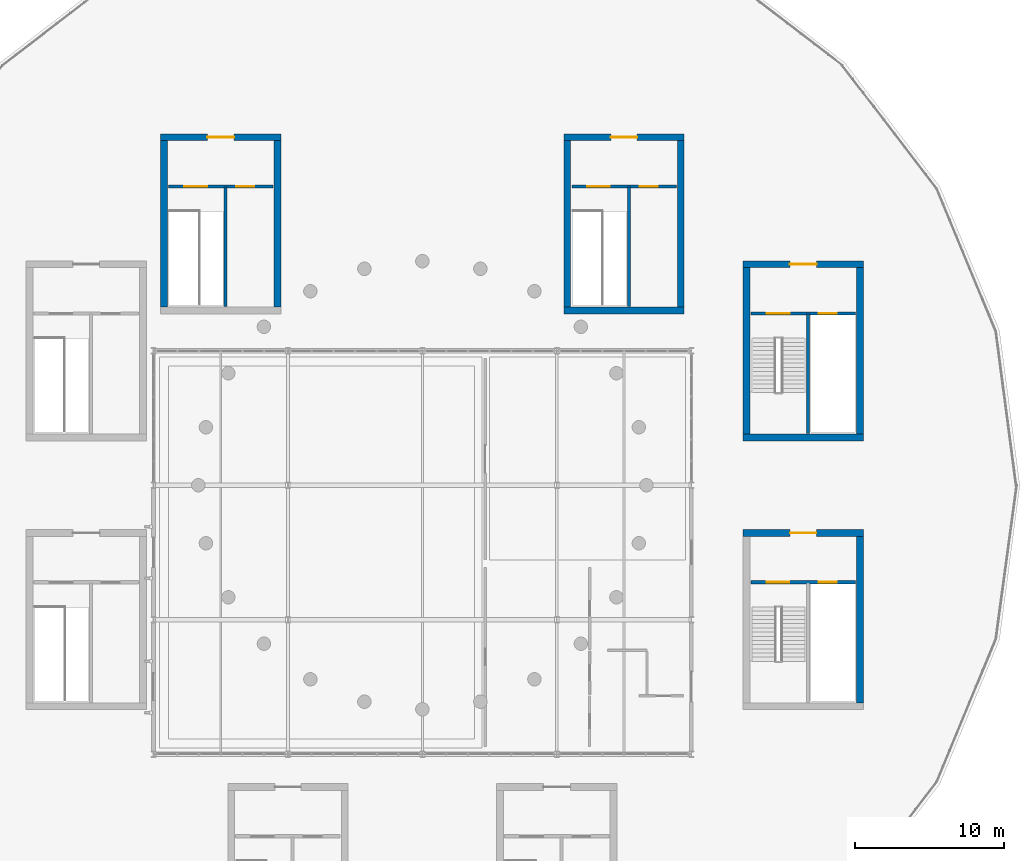
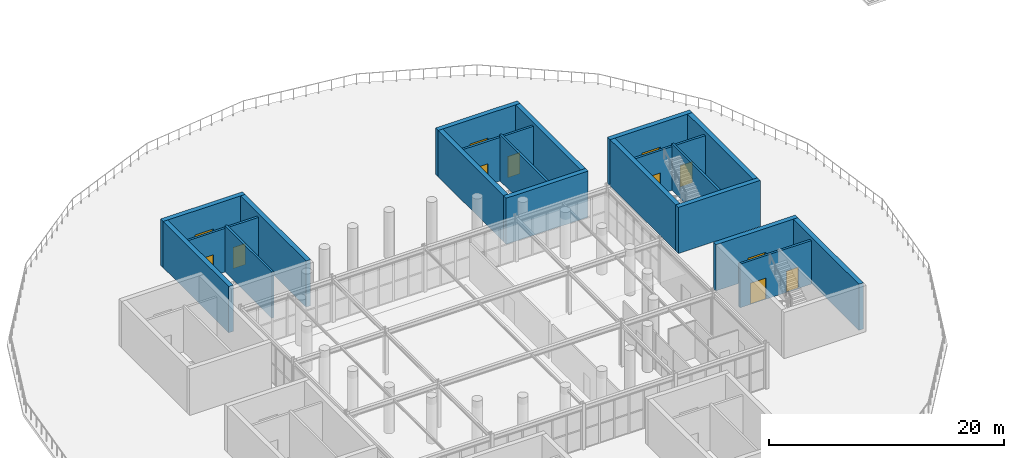
# One storey, part 23 of 29: 20 walls, 12 doors, 12 openings.
"""IFC4 building model written with IfcOpenShell, lengths in metres."""

from ifc_helpers import new_model, si_unit, direction, frame, frame_2d, origin, place, context, subcontext, project, spatial, rectangle, extrude, material, layer, layer_set, type_object, element, fill, save


model = new_model("IFC4")

# Units and contexts
model_context = context("Model", 3, precision=1e-05, world=origin(), true_north=direction((0.0, 1.0)))
body_context = subcontext(model_context, "Body", "Model", "MODEL_VIEW")
ifc_project = project(units=[si_unit("LENGTHUNIT", "METRE"), si_unit("AREAUNIT", "SQUARE_METRE"), si_unit("VOLUMEUNIT", "CUBIC_METRE"), si_unit("PLANEANGLEUNIT", "RADIAN"), si_unit("MASSUNIT", "GRAM", prefix="KILO")], contexts=[model_context])

# Site, building, storey
site_placement = place(None, origin())
site = spatial("IfcSite", under=ifc_project, at=site_placement, CompositionType="ELEMENT")
building_placement = place(site_placement, origin())
building = spatial("IfcBuilding", under=site, at=building_placement, Name="Dornveld Trade and Exhibition Forum", CompositionType="ELEMENT")
storey_placement = place(building_placement, frame((0.0, 0.0, 21.60009765625)))
storey = spatial("IfcBuildingStorey", under=building, at=storey_placement, Name="L04", CompositionType="ELEMENT", Elevation=21.60009765625)

# Wall
ifc_material_1 = material(Name="Concrete C40/50", Category="concrete")
ifc_layer_1 = layer(ifc_material_1, 0.449951171875)
ifc_layer_set_1 = layer_set([ifc_layer_1], Name="Concrete C40/50")
wall_type_1 = type_object("IfcWallType", Name="WL-CORE-450", PredefinedType="SHEAR", material=ifc_layer_set_1)
wall_1_placement = place(storey_placement, frame((138.47509765625, 84.199951171875, 0.0), z_axis=(0.0, 0.0, 1.0), x_axis=(1.0, 0.0, 0.0)))
element("IfcWall", 1, at=wall_1_placement, inside=storey, type_object=wall_type_1, Name="CORE-01 L04 shear wall S", PredefinedType="SHEAR", context=body_context, shape_type="SweptSolid", body=[
    extrude(rectangle(XDim=8.0498046875, YDim=0.449951171875, at=frame_2d((4.02490234375, 0.0))), origin(), (0.0, 0.0, 1.0), 4.7998046875),
])

# Wall, opening, door
wall_2_placement = place(storey_placement, frame((138.47509765625, 95.800048828125, 0.0), z_axis=(0.0, 0.0, 1.0), x_axis=(1.0, 0.0, 0.0)))
wall_2 = element("IfcWall", 2, at=wall_2_placement, inside=storey, type_object=wall_type_1, Name="CORE-01 L04 shear wall N", PredefinedType="SHEAR", context=body_context, shape_type="SweptSolid", body=[
    extrude(rectangle(XDim=8.0498046875, YDim=0.449951171875, at=frame_2d((4.02490234375, 0.0))), origin(), (0.0, 0.0, 1.0), 4.7998046875),
])
opening_1_placement = place(wall_2_placement, frame((3.125, 0.0, 0.0)))
opening_1 = element("IfcOpeningElement", 3, at=opening_1_placement, cuts=wall_2, Name="Opening CD-01-L04", PredefinedType="OPENING", context=body_context, shape_type="SweptSolid", body=[
    extrude(rectangle(XDim=1.800048828125, YDim=2.300048828125, at=frame_2d((0.89990234375, 1.14990234375))), frame((0.0, 0.23486328125, 0.0), z_axis=(0.0, -1.0, 0.0), x_axis=(1.0, 0.0, 0.0)), (0.0, 0.0, 1.0), 0.469970703125),
])
ifc_material_2 = material(Name="Steel fire-rated double door assembly", Category="steel")
door_type_1 = type_object("IfcDoorType", Name="DR-CORE-180x230", OperationType="NOTDEFINED", PredefinedType="DOOR", material=ifc_material_2)
door_1_placement = place(opening_1_placement, frame((1.800048828125, 0.0, 0.0), z_axis=(0.0, 0.0, 1.0), x_axis=(-1.0, 0.0, 0.0)))
door_1 = element("IfcDoor", 4, at=door_1_placement, inside=storey, type_object=door_type_1, Name="CORE-01 L04 core lobby double fire door", OperationType="DOUBLE_DOOR_SINGLE_SWING", OverallHeight=2.300048828125, OverallWidth=1.800048828125, PredefinedType="DOOR", context=body_context, shape_type="SweptSolid", body=[
    extrude(rectangle(XDim=1.800048828125, YDim=2.300048828125, at=frame_2d((0.89990234375, 1.14990234375))), frame((0.0, 0.02490234375, 0.0), z_axis=(0.0, -1.0, 0.0), x_axis=(1.0, 0.0, 0.0)), (0.0, 0.0, 1.0), 0.050048828125),
])
fill(opening_1, door_1)

# Walls
for number, where, z_axis, x_axis, name in (
    (5, (138.699951171875, 84.425048828125, 0.0), (0.0, 0.0, 1.0), (0.0, 1.0, 0.0), "CORE-01 L04 shear wall W"),
    (6, (146.300048828125, 84.425048828125, 0.0), (0.0, 0.0, 1.0), (0.0, 1.0, 0.0), "CORE-01 L04 shear wall E"),
):
    element("IfcWall", number, at=place(storey_placement, frame(where, z_axis=z_axis, x_axis=x_axis)), inside=storey, type_object=wall_type_1, Name=name, PredefinedType="SHEAR", context=body_context, shape_type="SweptSolid", body=[
        extrude(rectangle(XDim=11.14990234375, YDim=0.449951171875, at=frame_2d((5.574951171875, 0.0))), origin(), (0.0, 0.0, 1.0), 4.7998046875),
    ])
wall_3_placement = place(storey_placement, frame((126.47509765625, 92.699951171875, 0.0), z_axis=(0.0, 0.0, 1.0), x_axis=(1.0, 0.0, 0.0)))
element("IfcWall", 7, at=wall_3_placement, inside=storey, type_object=wall_type_1, Name="CORE-02 L04 shear wall S", PredefinedType="SHEAR", context=body_context, shape_type="SweptSolid", body=[
    extrude(rectangle(XDim=8.0498046875, YDim=0.449951171875, at=frame_2d((4.02490234375, 0.0))), origin(), (0.0, 0.0, 1.0), 4.7998046875),
])

# Wall, opening, door
wall_4_placement = place(storey_placement, frame((126.47509765625, 104.300048828125, 0.0), z_axis=(0.0, 0.0, 1.0), x_axis=(1.0, 0.0, 0.0)))
wall_4 = element("IfcWall", 8, at=wall_4_placement, inside=storey, type_object=wall_type_1, Name="CORE-02 L04 shear wall N", PredefinedType="SHEAR", context=body_context, shape_type="SweptSolid", body=[
    extrude(rectangle(XDim=8.0498046875, YDim=0.449951171875, at=frame_2d((4.02490234375, 0.0))), origin(), (0.0, 0.0, 1.0), 4.7998046875),
])
opening_2_placement = place(wall_4_placement, frame((3.14990234375, 0.0, 0.0)))
opening_2 = element("IfcOpeningElement", 9, at=opening_2_placement, cuts=wall_4, Name="Opening CD-02-L04", PredefinedType="OPENING", context=body_context, shape_type="SweptSolid", body=[
    extrude(rectangle(XDim=1.75, YDim=2.300048828125, at=frame_2d((0.875, 1.14990234375))), frame((0.0, 0.23486328125, 0.0), z_axis=(0.0, -1.0, 0.0), x_axis=(1.0, 0.0, 0.0)), (0.0, 0.0, 1.0), 0.469970703125),
])
ifc_material_3 = material(Name="Steel fire-rated double door assembly", Category="steel")
door_type_2 = type_object("IfcDoorType", Name="DR-CORE-175x230", OperationType="NOTDEFINED", PredefinedType="DOOR", material=ifc_material_3)
door_2_placement = place(opening_2_placement, frame((1.75, 0.0, 0.0), z_axis=(0.0, 0.0, 1.0), x_axis=(-1.0, 0.0, 0.0)))
door_2 = element("IfcDoor", 10, at=door_2_placement, inside=storey, type_object=door_type_2, Name="CORE-02 L04 core lobby double fire door", OperationType="DOUBLE_DOOR_SINGLE_SWING", OverallHeight=2.300048828125, OverallWidth=1.75, PredefinedType="DOOR", context=body_context, shape_type="SweptSolid", body=[
    extrude(rectangle(XDim=1.75, YDim=2.300048828125, at=frame_2d((0.875, 1.14990234375))), frame((0.0, 0.02490234375, 0.0), z_axis=(0.0, -1.0, 0.0), x_axis=(1.0, 0.0, 0.0)), (0.0, 0.0, 1.0), 0.050048828125),
])
fill(opening_2, door_2)

# Walls
for number, where, z_axis, x_axis, name in (
    (11, (126.699951171875, 92.925048828125, 0.0), (0.0, 0.0, 1.0), (0.0, 1.0, 0.0), "CORE-02 L04 shear wall W"),
    (12, (134.300048828125, 92.925048828125, 0.0), (0.0, 0.0, 1.0), (0.0, 1.0, 0.0), "CORE-02 L04 shear wall E"),
):
    element("IfcWall", number, at=place(storey_placement, frame(where, z_axis=z_axis, x_axis=x_axis)), inside=storey, type_object=wall_type_1, Name=name, PredefinedType="SHEAR", context=body_context, shape_type="SweptSolid", body=[
        extrude(rectangle(XDim=11.14990234375, YDim=0.449951171875, at=frame_2d((5.574951171875, 0.0))), origin(), (0.0, 0.0, 1.0), 4.7998046875),
    ])

# Wall, opening, door
wall_5_placement = place(storey_placement, frame((99.47509765625, 104.300048828125, 0.0), z_axis=(0.0, 0.0, 1.0), x_axis=(1.0, 0.0, 0.0)))
wall_5 = element("IfcWall", 13, at=wall_5_placement, inside=storey, type_object=wall_type_1, Name="CORE-03 L04 shear wall N", PredefinedType="SHEAR", context=body_context, shape_type="SweptSolid", body=[
    extrude(rectangle(XDim=8.0498046875, YDim=0.449951171875, at=frame_2d((4.02490234375, 0.0))), origin(), (0.0, 0.0, 1.0), 4.7998046875),
])
opening_3_placement = place(wall_5_placement, frame((3.125, 0.0, 0.0)))
opening_3 = element("IfcOpeningElement", 14, at=opening_3_placement, cuts=wall_5, Name="Opening CD-03-L04", PredefinedType="OPENING", context=body_context, shape_type="SweptSolid", body=[
    extrude(rectangle(XDim=1.800048828125, YDim=2.300048828125, at=frame_2d((0.89990234375, 1.14990234375))), frame((0.0, 0.23486328125, 0.0), z_axis=(0.0, -1.0, 0.0), x_axis=(1.0, 0.0, 0.0)), (0.0, 0.0, 1.0), 0.469970703125),
])
door_3_placement = place(opening_3_placement, frame((1.800048828125, 0.0, 0.0), z_axis=(0.0, 0.0, 1.0), x_axis=(-1.0, 0.0, 0.0)))
door_3 = element("IfcDoor", 15, at=door_3_placement, inside=storey, type_object=door_type_1, Name="CORE-03 L04 core lobby double fire door", OperationType="DOUBLE_DOOR_SINGLE_SWING", OverallHeight=2.300048828125, OverallWidth=1.800048828125, PredefinedType="DOOR", context=body_context, shape_type="SweptSolid", body=[
    extrude(rectangle(XDim=1.800048828125, YDim=2.300048828125, at=frame_2d((0.89990234375, 1.14990234375))), frame((0.0, 0.02490234375, 0.0), z_axis=(0.0, -1.0, 0.0), x_axis=(1.0, 0.0, 0.0)), (0.0, 0.0, 1.0), 0.050048828125),
])
fill(opening_3, door_3)

# Walls
for number, where, z_axis, x_axis, name in (
    (16, (99.699951171875, 92.925048828125, 0.0), (0.0, 0.0, 1.0), (0.0, 1.0, 0.0), "CORE-03 L04 shear wall W"),
    (17, (107.300048828125, 92.925048828125, 0.0), (0.0, 0.0, 1.0), (0.0, 1.0, 0.0), "CORE-03 L04 shear wall E"),
):
    element("IfcWall", number, at=place(storey_placement, frame(where, z_axis=z_axis, x_axis=x_axis)), inside=storey, type_object=wall_type_1, Name=name, PredefinedType="SHEAR", context=body_context, shape_type="SweptSolid", body=[
        extrude(rectangle(XDim=11.14990234375, YDim=0.449951171875, at=frame_2d((5.574951171875, 0.0))), origin(), (0.0, 0.0, 1.0), 4.7998046875),
    ])

# Wall, opening, door
wall_6_placement = place(storey_placement, frame((138.47509765625, 77.800048828125, 0.0), z_axis=(0.0, 0.0, 1.0), x_axis=(1.0, 0.0, 0.0)))
wall_6 = element("IfcWall", 18, at=wall_6_placement, inside=storey, type_object=wall_type_1, Name="CORE-08 L04 shear wall N", PredefinedType="SHEAR", context=body_context, shape_type="SweptSolid", body=[
    extrude(rectangle(XDim=8.0498046875, YDim=0.449951171875, at=frame_2d((4.02490234375, 0.0))), origin(), (0.0, 0.0, 1.0), 4.7998046875),
])
opening_4_placement = place(wall_6_placement, frame((3.14990234375, 0.0, 0.0)))
opening_4 = element("IfcOpeningElement", 19, at=opening_4_placement, cuts=wall_6, Name="Opening CD-08-L04", PredefinedType="OPENING", context=body_context, shape_type="SweptSolid", body=[
    extrude(rectangle(XDim=1.75, YDim=2.300048828125, at=frame_2d((0.875, 1.14990234375))), frame((0.0, 0.23486328125, 0.0), z_axis=(0.0, -1.0, 0.0), x_axis=(1.0, 0.0, 0.0)), (0.0, 0.0, 1.0), 0.469970703125),
])
door_4_placement = place(opening_4_placement, frame((1.75, 0.0, 0.0), z_axis=(0.0, 0.0, 1.0), x_axis=(-1.0, 0.0, 0.0)))
door_4 = element("IfcDoor", 20, at=door_4_placement, inside=storey, type_object=door_type_2, Name="CORE-08 L04 core lobby double fire door", OperationType="DOUBLE_DOOR_SINGLE_SWING", OverallHeight=2.300048828125, OverallWidth=1.75, PredefinedType="DOOR", context=body_context, shape_type="SweptSolid", body=[
    extrude(rectangle(XDim=1.75, YDim=2.300048828125, at=frame_2d((0.875, 1.14990234375))), frame((0.0, 0.02490234375, 0.0), z_axis=(0.0, -1.0, 0.0), x_axis=(1.0, 0.0, 0.0)), (0.0, 0.0, 1.0), 0.050048828125),
])
fill(opening_4, door_4)

# Wall
wall_7_placement = place(storey_placement, frame((146.300048828125, 66.425048828125, 0.0), z_axis=(0.0, 0.0, 1.0), x_axis=(0.0, 1.0, 0.0)))
element("IfcWall", 21, at=wall_7_placement, inside=storey, type_object=wall_type_1, Name="CORE-08 L04 shear wall E", PredefinedType="SHEAR", context=body_context, shape_type="SweptSolid", body=[
    extrude(rectangle(XDim=11.14990234375, YDim=0.449951171875, at=frame_2d((5.574951171875, 0.0))), origin(), (0.0, 0.0, 1.0), 4.7998046875),
])

# Wall, openings, doors
ifc_material_4 = material(Name="Concrete C40/50", Category="concrete")
ifc_layer_2 = layer(ifc_material_4, 0.219970703125)
ifc_layer_set_2 = layer_set([ifc_layer_2], Name="Concrete C40/50")
wall_type_2 = type_object("IfcWallType", Name="WL-INT-LOB220", PredefinedType="SOLIDWALL", material=ifc_layer_set_2)
wall_8_placement = place(storey_placement, frame((139.0, 92.5, 0.0), z_axis=(0.0, 0.0, 1.0), x_axis=(1.0, 0.0, 0.0)))
wall_8 = element("IfcWall", 22, at=wall_8_placement, inside=storey, type_object=wall_type_2, Name="CORE-01 L04 protected lobby bulkhead wall", PredefinedType="SOLIDWALL", context=body_context, shape_type="SweptSolid", body=[
    extrude(rectangle(XDim=7.0, YDim=0.219970703125, at=frame_2d((3.5, 0.0))), origin(), (0.0, 0.0, 1.0), 4.52978515625),
])
opening_5_placement = place(wall_8_placement, frame((1.050048828125, 0.0, 0.0)))
opening_5 = element("IfcOpeningElement", 23, at=opening_5_placement, cuts=wall_8, Name="Opening SD-01-L04", PredefinedType="OPENING", context=body_context, shape_type="SweptSolid", body=[
    extrude(rectangle(XDim=1.550048828125, YDim=2.199951171875, at=frame_2d((0.77490234375, 1.10009765625))), frame((0.0, 0.119873046875, 0.0), z_axis=(0.0, -1.0, 0.0), x_axis=(1.0, 0.0, 0.0)), (0.0, 0.0, 1.0), 0.239990234375),
])
opening_6_placement = place(wall_8_placement, frame((4.550048828125, 0.0, 0.0)))
opening_6 = element("IfcOpeningElement", 24, at=opening_6_placement, cuts=wall_8, Name="Opening LD-01-L04", PredefinedType="OPENING", context=body_context, shape_type="SweptSolid", body=[
    extrude(rectangle(XDim=1.199951171875, YDim=2.199951171875, at=frame_2d((0.60009765625, 1.10009765625))), frame((0.0, 0.119873046875, 0.0), z_axis=(0.0, -1.0, 0.0), x_axis=(1.0, 0.0, 0.0)), (0.0, 0.0, 1.0), 0.239990234375),
])
ifc_material_5 = material(Name="Brushed stainless steel sliding lift landing door", Category="steel")
door_type_3 = type_object("IfcDoorType", Name="DR-LIFT-120x220", OperationType="NOTDEFINED", PredefinedType="DOOR", material=ifc_material_5)
door_5_placement = place(opening_6_placement, origin())
door_5 = element("IfcDoor", 25, at=door_5_placement, inside=storey, type_object=door_type_3, Name="CORE-01 L04 lift sliding landing door", OperationType="SLIDING_TO_LEFT", OverallHeight=2.199951171875, OverallWidth=1.199951171875, PredefinedType="DOOR", context=body_context, shape_type="SweptSolid", body=[
    extrude(rectangle(XDim=1.199951171875, YDim=2.199951171875, at=frame_2d((0.60009765625, 1.10009765625))), frame((0.0, 0.02490234375, 0.0), z_axis=(0.0, -1.0, 0.0), x_axis=(1.0, 0.0, 0.0)), (0.0, 0.0, 1.0), 0.050048828125),
])
fill(opening_6, door_5)
ifc_material_6 = material(Name="Steel fire-rated stair door assembly", Category="steel")
door_type_4 = type_object("IfcDoorType", Name="DR-STAIR-155x220", OperationType="NOTDEFINED", PredefinedType="DOOR", material=ifc_material_6)
door_6_placement = place(opening_5_placement, origin())
door_6 = element("IfcDoor", 26, at=door_6_placement, inside=storey, type_object=door_type_4, Name="CORE-01 L04 protected stair door", OperationType="SINGLE_SWING_LEFT", OverallHeight=2.199951171875, OverallWidth=1.550048828125, PredefinedType="DOOR", context=body_context, shape_type="SweptSolid", body=[
    extrude(rectangle(XDim=1.550048828125, YDim=2.199951171875, at=frame_2d((0.77490234375, 1.10009765625))), frame((0.0, 0.02490234375, 0.0), z_axis=(0.0, -1.0, 0.0), x_axis=(1.0, 0.0, 0.0)), (0.0, 0.0, 1.0), 0.050048828125),
])
fill(opening_5, door_6)

wall_9_placement = place(storey_placement, frame((127.0, 101.0, 0.0), z_axis=(0.0, 0.0, 1.0), x_axis=(1.0, 0.0, 0.0)))
wall_9 = element("IfcWall", 27, at=wall_9_placement, inside=storey, type_object=wall_type_2, Name="CORE-02 L04 protected lobby bulkhead wall", PredefinedType="SOLIDWALL", context=body_context, shape_type="SweptSolid", body=[
    extrude(rectangle(XDim=7.0, YDim=0.219970703125, at=frame_2d((3.5, 0.0))), origin(), (0.0, 0.0, 1.0), 4.52978515625),
])
opening_7_placement = place(wall_9_placement, frame((1.050048828125, 0.0, 0.0)))
opening_7 = element("IfcOpeningElement", 28, at=opening_7_placement, cuts=wall_9, Name="Opening SD-02-L04", PredefinedType="OPENING", context=body_context, shape_type="SweptSolid", body=[
    extrude(rectangle(XDim=1.5, YDim=2.199951171875, at=frame_2d((0.75, 1.10009765625))), frame((0.0, 0.119873046875, 0.0), z_axis=(0.0, -1.0, 0.0), x_axis=(1.0, 0.0, 0.0)), (0.0, 0.0, 1.0), 0.239990234375),
])
opening_8_placement = place(wall_9_placement, frame((4.550048828125, 0.0, 0.0)))
opening_8 = element("IfcOpeningElement", 29, at=opening_8_placement, cuts=wall_9, Name="Opening LD-02-L04", PredefinedType="OPENING", context=body_context, shape_type="SweptSolid", body=[
    extrude(rectangle(XDim=1.199951171875, YDim=2.199951171875, at=frame_2d((0.60009765625, 1.10009765625))), frame((0.0, 0.119873046875, 0.0), z_axis=(0.0, -1.0, 0.0), x_axis=(1.0, 0.0, 0.0)), (0.0, 0.0, 1.0), 0.239990234375),
])
door_7_placement = place(opening_8_placement, origin())
door_7 = element("IfcDoor", 30, at=door_7_placement, inside=storey, type_object=door_type_3, Name="CORE-02 L04 lift sliding landing door", OperationType="SLIDING_TO_RIGHT", OverallHeight=2.199951171875, OverallWidth=1.199951171875, PredefinedType="DOOR", context=body_context, shape_type="SweptSolid", body=[
    extrude(rectangle(XDim=1.199951171875, YDim=2.199951171875, at=frame_2d((0.60009765625, 1.10009765625))), frame((0.0, 0.02490234375, 0.0), z_axis=(0.0, -1.0, 0.0), x_axis=(1.0, 0.0, 0.0)), (0.0, 0.0, 1.0), 0.050048828125),
])
fill(opening_8, door_7)
ifc_material_7 = material(Name="Steel fire-rated stair door assembly", Category="steel")
door_type_5 = type_object("IfcDoorType", Name="DR-STAIR-150x220", OperationType="NOTDEFINED", PredefinedType="DOOR", material=ifc_material_7)
door_8_placement = place(opening_7_placement, origin())
door_8 = element("IfcDoor", 31, at=door_8_placement, inside=storey, type_object=door_type_5, Name="CORE-02 L04 protected stair door", OperationType="SINGLE_SWING_RIGHT", OverallHeight=2.199951171875, OverallWidth=1.5, PredefinedType="DOOR", context=body_context, shape_type="SweptSolid", body=[
    extrude(rectangle(XDim=1.5, YDim=2.199951171875, at=frame_2d((0.75, 1.10009765625))), frame((0.0, 0.02490234375, 0.0), z_axis=(0.0, -1.0, 0.0), x_axis=(1.0, 0.0, 0.0)), (0.0, 0.0, 1.0), 0.050048828125),
])
fill(opening_7, door_8)

wall_10_placement = place(storey_placement, frame((100.0, 101.0, 0.0), z_axis=(0.0, 0.0, 1.0), x_axis=(1.0, 0.0, 0.0)))
wall_10 = element("IfcWall", 32, at=wall_10_placement, inside=storey, type_object=wall_type_2, Name="CORE-03 L04 protected lobby bulkhead wall", PredefinedType="SOLIDWALL", context=body_context, shape_type="SweptSolid", body=[
    extrude(rectangle(XDim=7.0, YDim=0.219970703125, at=frame_2d((3.5, 0.0))), origin(), (0.0, 0.0, 1.0), 4.52978515625),
])
opening_9_placement = place(wall_10_placement, frame((1.050048828125, 0.0, 0.0)))
opening_9 = element("IfcOpeningElement", 33, at=opening_9_placement, cuts=wall_10, Name="Opening SD-03-L04", PredefinedType="OPENING", context=body_context, shape_type="SweptSolid", body=[
    extrude(rectangle(XDim=1.550048828125, YDim=2.199951171875, at=frame_2d((0.77490234375, 1.10009765625))), frame((0.0, 0.119873046875, 0.0), z_axis=(0.0, -1.0, 0.0), x_axis=(1.0, 0.0, 0.0)), (0.0, 0.0, 1.0), 0.239990234375),
])
opening_10_placement = place(wall_10_placement, frame((4.550048828125, 0.0, 0.0)))
opening_10 = element("IfcOpeningElement", 34, at=opening_10_placement, cuts=wall_10, Name="Opening LD-03-L04", PredefinedType="OPENING", context=body_context, shape_type="SweptSolid", body=[
    extrude(rectangle(XDim=1.199951171875, YDim=2.199951171875, at=frame_2d((0.60009765625, 1.10009765625))), frame((0.0, 0.119873046875, 0.0), z_axis=(0.0, -1.0, 0.0), x_axis=(1.0, 0.0, 0.0)), (0.0, 0.0, 1.0), 0.239990234375),
])
door_9_placement = place(opening_10_placement, origin())
door_9 = element("IfcDoor", 35, at=door_9_placement, inside=storey, type_object=door_type_3, Name="CORE-03 L04 lift sliding landing door", OperationType="SLIDING_TO_LEFT", OverallHeight=2.199951171875, OverallWidth=1.199951171875, PredefinedType="DOOR", context=body_context, shape_type="SweptSolid", body=[
    extrude(rectangle(XDim=1.199951171875, YDim=2.199951171875, at=frame_2d((0.60009765625, 1.10009765625))), frame((0.0, 0.02490234375, 0.0), z_axis=(0.0, -1.0, 0.0), x_axis=(1.0, 0.0, 0.0)), (0.0, 0.0, 1.0), 0.050048828125),
])
fill(opening_10, door_9)
door_10_placement = place(opening_9_placement, origin())
door_10 = element("IfcDoor", 36, at=door_10_placement, inside=storey, type_object=door_type_4, Name="CORE-03 L04 protected stair door", OperationType="SINGLE_SWING_LEFT", OverallHeight=2.199951171875, OverallWidth=1.550048828125, PredefinedType="DOOR", context=body_context, shape_type="SweptSolid", body=[
    extrude(rectangle(XDim=1.550048828125, YDim=2.199951171875, at=frame_2d((0.77490234375, 1.10009765625))), frame((0.0, 0.02490234375, 0.0), z_axis=(0.0, -1.0, 0.0), x_axis=(1.0, 0.0, 0.0)), (0.0, 0.0, 1.0), 0.050048828125),
])
fill(opening_9, door_10)

wall_11_placement = place(storey_placement, frame((139.0, 74.5, 0.0), z_axis=(0.0, 0.0, 1.0), x_axis=(1.0, 0.0, 0.0)))
wall_11 = element("IfcWall", 37, at=wall_11_placement, inside=storey, type_object=wall_type_2, Name="CORE-08 L04 protected lobby bulkhead wall", PredefinedType="SOLIDWALL", context=body_context, shape_type="SweptSolid", body=[
    extrude(rectangle(XDim=7.0, YDim=0.219970703125, at=frame_2d((3.5, 0.0))), origin(), (0.0, 0.0, 1.0), 4.52978515625),
])
opening_11_placement = place(wall_11_placement, frame((1.050048828125, 0.0, 0.0)))
opening_11 = element("IfcOpeningElement", 38, at=opening_11_placement, cuts=wall_11, Name="Opening SD-08-L04", PredefinedType="OPENING", context=body_context, shape_type="SweptSolid", body=[
    extrude(rectangle(XDim=1.5, YDim=2.199951171875, at=frame_2d((0.75, 1.10009765625))), frame((0.0, 0.119873046875, 0.0), z_axis=(0.0, -1.0, 0.0), x_axis=(1.0, 0.0, 0.0)), (0.0, 0.0, 1.0), 0.239990234375),
])
opening_12_placement = place(wall_11_placement, frame((4.550048828125, 0.0, 0.0)))
opening_12 = element("IfcOpeningElement", 39, at=opening_12_placement, cuts=wall_11, Name="Opening LD-08-L04", PredefinedType="OPENING", context=body_context, shape_type="SweptSolid", body=[
    extrude(rectangle(XDim=1.199951171875, YDim=2.199951171875, at=frame_2d((0.60009765625, 1.10009765625))), frame((0.0, 0.119873046875, 0.0), z_axis=(0.0, -1.0, 0.0), x_axis=(1.0, 0.0, 0.0)), (0.0, 0.0, 1.0), 0.239990234375),
])
door_11_placement = place(opening_12_placement, origin())
door_11 = element("IfcDoor", 40, at=door_11_placement, inside=storey, type_object=door_type_3, Name="CORE-08 L04 lift sliding landing door", OperationType="SLIDING_TO_RIGHT", OverallHeight=2.199951171875, OverallWidth=1.199951171875, PredefinedType="DOOR", context=body_context, shape_type="SweptSolid", body=[
    extrude(rectangle(XDim=1.199951171875, YDim=2.199951171875, at=frame_2d((0.60009765625, 1.10009765625))), frame((0.0, 0.02490234375, 0.0), z_axis=(0.0, -1.0, 0.0), x_axis=(1.0, 0.0, 0.0)), (0.0, 0.0, 1.0), 0.050048828125),
])
fill(opening_12, door_11)
door_12_placement = place(opening_11_placement, origin())
door_12 = element("IfcDoor", 41, at=door_12_placement, inside=storey, type_object=door_type_5, Name="CORE-08 L04 protected stair door", OperationType="SINGLE_SWING_RIGHT", OverallHeight=2.199951171875, OverallWidth=1.5, PredefinedType="DOOR", context=body_context, shape_type="SweptSolid", body=[
    extrude(rectangle(XDim=1.5, YDim=2.199951171875, at=frame_2d((0.75, 1.10009765625))), frame((0.0, 0.02490234375, 0.0), z_axis=(0.0, -1.0, 0.0), x_axis=(1.0, 0.0, 0.0)), (0.0, 0.0, 1.0), 0.050048828125),
])
fill(opening_11, door_12)

# Walls
ifc_material_8 = material(Name="Concrete C40/50", Category="concrete")
ifc_layer_3 = layer(ifc_material_8, 0.199951171875)
ifc_layer_set_3 = layer_set([ifc_layer_3], Name="Concrete C40/50")
wall_type_3 = type_object("IfcWallType", Name="WL-INT-SHAFT200", PredefinedType="SOLIDWALL", material=ifc_layer_set_3)
for number, where, z_axis, x_axis, name in (
    (42, (142.820068359375, 84.449951171875, 0.0), (0.0, 0.0, 1.0), (0.0, 1.0, 0.0), "CORE-01 L04 lift-stair structural shaft wall"),
    (43, (130.820068359375, 92.949951171875, 0.0), (0.0, 0.0, 1.0), (0.0, 1.0, 0.0), "CORE-02 L04 lift-stair structural shaft wall"),
    (44, (103.820068359375, 92.949951171875, 0.0), (0.0, 0.0, 1.0), (0.0, 1.0, 0.0), "CORE-03 L04 lift-stair structural shaft wall"),
):
    element("IfcWall", number, at=place(storey_placement, frame(where, z_axis=z_axis, x_axis=x_axis)), inside=storey, type_object=wall_type_3, Name=name, PredefinedType="SOLIDWALL", context=body_context, shape_type="SweptSolid", body=[
        extrude(rectangle(XDim=8.0, YDim=0.199951171875, at=frame_2d((4.0, 0.0))), origin(), (0.0, 0.0, 1.0), 4.7998046875),
    ])

save(model, "model.ifc")
